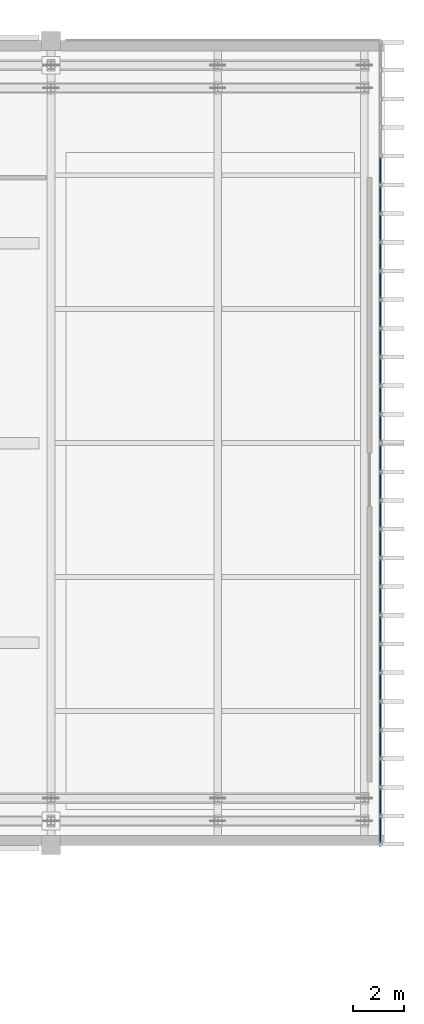
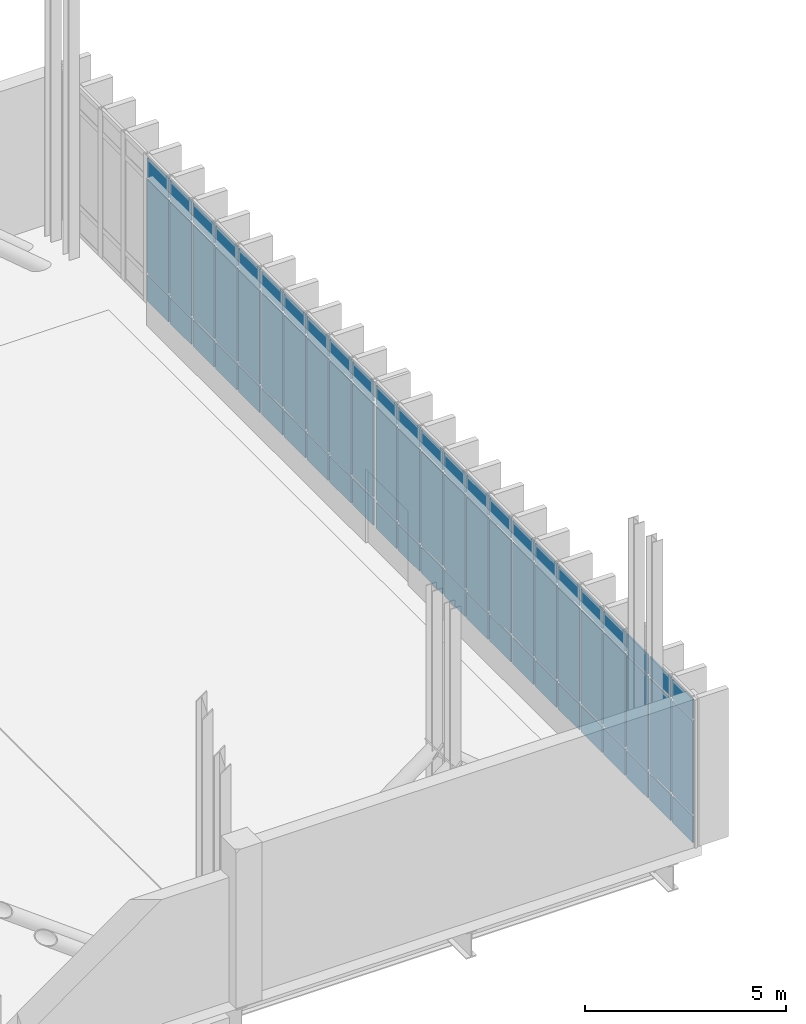
# One storey, part 46 of 73: 72 plates, 2 elements without a shape of their own.
"""IFC4 building model written with IfcOpenShell, lengths in metres."""

from ifc_helpers import new_model, si_unit, direction, frame, origin, origin_2d, place, context, subcontext, project, spatial, rectangle, extrude, material, layer, layer_set, type_object, element, aggregate, save


model = new_model("IFC4")

# Units and contexts
model_context = context("Model", 3, precision=1e-05, world=origin(), true_north=direction((0.0, 1.0)))
body_context = subcontext(model_context, "Body", "Model", "MODEL_VIEW")
ifc_project = project(units=[si_unit("LENGTHUNIT", "METRE"), si_unit("AREAUNIT", "SQUARE_METRE"), si_unit("VOLUMEUNIT", "CUBIC_METRE"), si_unit("PLANEANGLEUNIT", "RADIAN"), si_unit("MASSUNIT", "GRAM", prefix="KILO")], contexts=[model_context])

# Site, building, storey
site_placement = place(None, origin())
site = spatial("IfcSite", under=ifc_project, at=site_placement, CompositionType="ELEMENT")
building_placement = place(site_placement, origin())
building = spatial("IfcBuilding", under=site, at=building_placement, Name="Kelarvand Opera House", CompositionType="ELEMENT")
storey_placement = place(building_placement, frame((0.0, 0.0, 10.199951171875)))
storey = spatial("IfcBuildingStorey", under=building, at=storey_placement, Name="L02", CompositionType="ELEMENT", Elevation=10.199951171875)

# Curtain wall, plates
ifc_material_1 = material(Name="Thermally broken aluminium and low-E glazing", Category="aluminium")
ifc_layer_1 = layer(ifc_material_1, 0.219970703125, Name="Thermally broken aluminium and low-E glazing", Category="aluminium")
ifc_layer_set_1 = layer_set([ifc_layer_1], Name="Thermally broken aluminium and low-E glazing")
curtain_wall_type = type_object("IfcCurtainWallType", Name="Unitised Low-E Curtain Wall 15886x4500 Mod 1150 CWF-06", PredefinedType="USERDEFINED", material=ifc_layer_set_1)
curtain_wall_1_placement = place(storey_placement, origin())
curtain_wall_1 = element("IfcCurtainWall", 1, at=curtain_wall_1_placement, inside=storey, type_object=curtain_wall_type, Name="V1 L02 Curtain Wall CWF-06 (17)", ObjectType="UNITISED CURTAIN WALL", PredefinedType="USERDEFINED")
ifc_material_2 = material(Name="Acoustic triple-laminated low-E glazing", Category="glass")
ifc_layer_2 = layer(ifc_material_2, 0.0400390625, Name="Acoustic triple-laminated low-E glazing", Category="glass")
ifc_layer_set_2 = layer_set([ifc_layer_2], Name="Acoustic triple-laminated low-E glazing")
plate_type = type_object("IfcPlateType", Name="Acoustic Laminated Plaza Curtain Panel 40mm", PredefinedType="CURTAIN_PANEL", material=ifc_layer_set_2)
plate_1_placement = place(storey_placement, frame((154.820068359375, 73.28369140625, 0.074951171875), z_axis=(0.0, 0.0, 1.0), x_axis=(0.0, -1.0, 0.0)))
plate_1 = element("IfcPlate", 2, at=plate_1_placement, type_object=plate_type, Name="CWF-06 panel 5.1", PredefinedType="CURTAIN_PANEL", context=body_context, shape_type="SweptSolid", body=[
    extrude(rectangle(XDim=1.059814453125, YDim=0.0400390625, at=origin_2d()), origin(), (0.0, 0.0, 1.0), 0.78759765625),
])
plate_2_placement = place(storey_placement, frame((154.820068359375, 73.28369140625, 0.9375), z_axis=(0.0, 0.0, 1.0), x_axis=(0.0, -1.0, 0.0)))
plate_2 = element("IfcPlate", 3, at=plate_2_placement, type_object=plate_type, Name="CWF-06 panel 5.2", PredefinedType="CURTAIN_PANEL", context=body_context, shape_type="SweptSolid", body=[
    extrude(rectangle(XDim=1.059814453125, YDim=0.0400390625, at=origin_2d()), origin(), (0.0, 0.0, 1.0), 2.824951171875),
])
plate_3_placement = place(storey_placement, frame((154.820068359375, 73.28369140625, 3.837646484375), z_axis=(0.0, 0.0, 1.0), x_axis=(0.0, -1.0, 0.0)))
plate_3 = element("IfcPlate", 4, at=plate_3_placement, type_object=plate_type, Name="CWF-06 panel 5.3", PredefinedType="CURTAIN_PANEL", context=body_context, shape_type="SweptSolid", body=[
    extrude(rectangle(XDim=1.059814453125, YDim=0.0400390625, at=origin_2d()), origin(), (0.0, 0.0, 1.0), 0.58740234375),
])
plate_4_placement = place(storey_placement, frame((154.820068359375, 72.149169921875, 0.074951171875), z_axis=(0.0, 0.0, 1.0), x_axis=(0.0, -1.0, 0.0)))
plate_4 = element("IfcPlate", 5, at=plate_4_placement, type_object=plate_type, Name="CWF-06 panel 6.1", PredefinedType="CURTAIN_PANEL", context=body_context, shape_type="SweptSolid", body=[
    extrude(rectangle(XDim=1.059814453125, YDim=0.0400390625, at=origin_2d()), origin(), (0.0, 0.0, 1.0), 0.78759765625),
])
plate_5_placement = place(storey_placement, frame((154.820068359375, 72.149169921875, 0.9375), z_axis=(0.0, 0.0, 1.0), x_axis=(0.0, -1.0, 0.0)))
plate_5 = element("IfcPlate", 6, at=plate_5_placement, type_object=plate_type, Name="CWF-06 panel 6.2", PredefinedType="CURTAIN_PANEL", context=body_context, shape_type="SweptSolid", body=[
    extrude(rectangle(XDim=1.059814453125, YDim=0.0400390625, at=origin_2d()), origin(), (0.0, 0.0, 1.0), 2.824951171875),
])
plate_6_placement = place(storey_placement, frame((154.820068359375, 72.149169921875, 3.837646484375), z_axis=(0.0, 0.0, 1.0), x_axis=(0.0, -1.0, 0.0)))
plate_6 = element("IfcPlate", 7, at=plate_6_placement, type_object=plate_type, Name="CWF-06 panel 6.3", PredefinedType="CURTAIN_PANEL", context=body_context, shape_type="SweptSolid", body=[
    extrude(rectangle(XDim=1.059814453125, YDim=0.0400390625, at=origin_2d()), origin(), (0.0, 0.0, 1.0), 0.58740234375),
])
plate_7_placement = place(storey_placement, frame((154.820068359375, 71.014404296875, 0.074951171875), z_axis=(0.0, 0.0, 1.0), x_axis=(0.0, -1.0, 0.0)))
plate_7 = element("IfcPlate", 8, at=plate_7_placement, type_object=plate_type, Name="CWF-06 panel 7.1", PredefinedType="CURTAIN_PANEL", context=body_context, shape_type="SweptSolid", body=[
    extrude(rectangle(XDim=1.059814453125, YDim=0.0400390625, at=origin_2d()), origin(), (0.0, 0.0, 1.0), 0.78759765625),
])
plate_8_placement = place(storey_placement, frame((154.820068359375, 71.014404296875, 0.9375), z_axis=(0.0, 0.0, 1.0), x_axis=(0.0, -1.0, 0.0)))
plate_8 = element("IfcPlate", 9, at=plate_8_placement, type_object=plate_type, Name="CWF-06 panel 7.2", PredefinedType="CURTAIN_PANEL", context=body_context, shape_type="SweptSolid", body=[
    extrude(rectangle(XDim=1.059814453125, YDim=0.0400390625, at=origin_2d()), origin(), (0.0, 0.0, 1.0), 2.824951171875),
])
plate_9_placement = place(storey_placement, frame((154.820068359375, 71.014404296875, 3.837646484375), z_axis=(0.0, 0.0, 1.0), x_axis=(0.0, -1.0, 0.0)))
plate_9 = element("IfcPlate", 10, at=plate_9_placement, type_object=plate_type, Name="CWF-06 panel 7.3", PredefinedType="CURTAIN_PANEL", context=body_context, shape_type="SweptSolid", body=[
    extrude(rectangle(XDim=1.059814453125, YDim=0.0400390625, at=origin_2d()), origin(), (0.0, 0.0, 1.0), 0.58740234375),
])
plate_10_placement = place(storey_placement, frame((154.820068359375, 69.879638671875, 0.074951171875), z_axis=(0.0, 0.0, 1.0), x_axis=(0.0, -1.0, 0.0)))
plate_10 = element("IfcPlate", 11, at=plate_10_placement, type_object=plate_type, Name="CWF-06 panel 8.1", PredefinedType="CURTAIN_PANEL", context=body_context, shape_type="SweptSolid", body=[
    extrude(rectangle(XDim=1.059814453125, YDim=0.0400390625, at=origin_2d()), origin(), (0.0, 0.0, 1.0), 0.78759765625),
])
plate_11_placement = place(storey_placement, frame((154.820068359375, 69.879638671875, 0.9375), z_axis=(0.0, 0.0, 1.0), x_axis=(0.0, -1.0, 0.0)))
plate_11 = element("IfcPlate", 12, at=plate_11_placement, type_object=plate_type, Name="CWF-06 panel 8.2", PredefinedType="CURTAIN_PANEL", context=body_context, shape_type="SweptSolid", body=[
    extrude(rectangle(XDim=1.059814453125, YDim=0.0400390625, at=origin_2d()), origin(), (0.0, 0.0, 1.0), 2.824951171875),
])
plate_12_placement = place(storey_placement, frame((154.820068359375, 69.879638671875, 3.837646484375), z_axis=(0.0, 0.0, 1.0), x_axis=(0.0, -1.0, 0.0)))
plate_12 = element("IfcPlate", 13, at=plate_12_placement, type_object=plate_type, Name="CWF-06 panel 8.3", PredefinedType="CURTAIN_PANEL", context=body_context, shape_type="SweptSolid", body=[
    extrude(rectangle(XDim=1.059814453125, YDim=0.0400390625, at=origin_2d()), origin(), (0.0, 0.0, 1.0), 0.58740234375),
])
plate_13_placement = place(storey_placement, frame((154.820068359375, 68.744873046875, 0.074951171875), z_axis=(0.0, 0.0, 1.0), x_axis=(0.0, -1.0, 0.0)))
plate_13 = element("IfcPlate", 14, at=plate_13_placement, type_object=plate_type, Name="CWF-06 panel 9.1", PredefinedType="CURTAIN_PANEL", context=body_context, shape_type="SweptSolid", body=[
    extrude(rectangle(XDim=1.059814453125, YDim=0.0400390625, at=origin_2d()), origin(), (0.0, 0.0, 1.0), 0.78759765625),
])
plate_14_placement = place(storey_placement, frame((154.820068359375, 68.744873046875, 0.9375), z_axis=(0.0, 0.0, 1.0), x_axis=(0.0, -1.0, 0.0)))
plate_14 = element("IfcPlate", 15, at=plate_14_placement, type_object=plate_type, Name="CWF-06 panel 9.2", PredefinedType="CURTAIN_PANEL", context=body_context, shape_type="SweptSolid", body=[
    extrude(rectangle(XDim=1.059814453125, YDim=0.0400390625, at=origin_2d()), origin(), (0.0, 0.0, 1.0), 2.824951171875),
])
plate_15_placement = place(storey_placement, frame((154.820068359375, 68.744873046875, 3.837646484375), z_axis=(0.0, 0.0, 1.0), x_axis=(0.0, -1.0, 0.0)))
plate_15 = element("IfcPlate", 16, at=plate_15_placement, type_object=plate_type, Name="CWF-06 panel 9.3", PredefinedType="CURTAIN_PANEL", context=body_context, shape_type="SweptSolid", body=[
    extrude(rectangle(XDim=1.059814453125, YDim=0.0400390625, at=origin_2d()), origin(), (0.0, 0.0, 1.0), 0.58740234375),
])
plate_16_placement = place(storey_placement, frame((154.820068359375, 67.610107421875, 0.074951171875), z_axis=(0.0, 0.0, 1.0), x_axis=(0.0, -1.0, 0.0)))
plate_16 = element("IfcPlate", 17, at=plate_16_placement, type_object=plate_type, Name="CWF-06 panel 10.1", PredefinedType="CURTAIN_PANEL", context=body_context, shape_type="SweptSolid", body=[
    extrude(rectangle(XDim=1.059814453125, YDim=0.0400390625, at=origin_2d()), origin(), (0.0, 0.0, 1.0), 0.78759765625),
])
plate_17_placement = place(storey_placement, frame((154.820068359375, 67.610107421875, 0.9375), z_axis=(0.0, 0.0, 1.0), x_axis=(0.0, -1.0, 0.0)))
plate_17 = element("IfcPlate", 18, at=plate_17_placement, type_object=plate_type, Name="CWF-06 panel 10.2", PredefinedType="CURTAIN_PANEL", context=body_context, shape_type="SweptSolid", body=[
    extrude(rectangle(XDim=1.059814453125, YDim=0.0400390625, at=origin_2d()), origin(), (0.0, 0.0, 1.0), 2.824951171875),
])
plate_18_placement = place(storey_placement, frame((154.820068359375, 67.610107421875, 3.837646484375), z_axis=(0.0, 0.0, 1.0), x_axis=(0.0, -1.0, 0.0)))
plate_18 = element("IfcPlate", 19, at=plate_18_placement, type_object=plate_type, Name="CWF-06 panel 10.3", PredefinedType="CURTAIN_PANEL", context=body_context, shape_type="SweptSolid", body=[
    extrude(rectangle(XDim=1.059814453125, YDim=0.0400390625, at=origin_2d()), origin(), (0.0, 0.0, 1.0), 0.58740234375),
])
plate_19_placement = place(storey_placement, frame((154.820068359375, 66.4755859375, 0.074951171875), z_axis=(0.0, 0.0, 1.0), x_axis=(0.0, -1.0, 0.0)))
plate_19 = element("IfcPlate", 20, at=plate_19_placement, type_object=plate_type, Name="CWF-06 panel 11.1", PredefinedType="CURTAIN_PANEL", context=body_context, shape_type="SweptSolid", body=[
    extrude(rectangle(XDim=1.059814453125, YDim=0.0400390625, at=origin_2d()), origin(), (0.0, 0.0, 1.0), 0.78759765625),
])
plate_20_placement = place(storey_placement, frame((154.820068359375, 66.4755859375, 0.9375), z_axis=(0.0, 0.0, 1.0), x_axis=(0.0, -1.0, 0.0)))
plate_20 = element("IfcPlate", 21, at=plate_20_placement, type_object=plate_type, Name="CWF-06 panel 11.2", PredefinedType="CURTAIN_PANEL", context=body_context, shape_type="SweptSolid", body=[
    extrude(rectangle(XDim=1.059814453125, YDim=0.0400390625, at=origin_2d()), origin(), (0.0, 0.0, 1.0), 2.824951171875),
])
plate_21_placement = place(storey_placement, frame((154.820068359375, 66.4755859375, 3.837646484375), z_axis=(0.0, 0.0, 1.0), x_axis=(0.0, -1.0, 0.0)))
plate_21 = element("IfcPlate", 22, at=plate_21_placement, type_object=plate_type, Name="CWF-06 panel 11.3", PredefinedType="CURTAIN_PANEL", context=body_context, shape_type="SweptSolid", body=[
    extrude(rectangle(XDim=1.059814453125, YDim=0.0400390625, at=origin_2d()), origin(), (0.0, 0.0, 1.0), 0.58740234375),
])
plate_22_placement = place(storey_placement, frame((154.820068359375, 65.3408203125, 0.074951171875), z_axis=(0.0, 0.0, 1.0), x_axis=(0.0, -1.0, 0.0)))
plate_22 = element("IfcPlate", 23, at=plate_22_placement, type_object=plate_type, Name="CWF-06 panel 12.1", PredefinedType="CURTAIN_PANEL", context=body_context, shape_type="SweptSolid", body=[
    extrude(rectangle(XDim=1.059814453125, YDim=0.0400390625, at=origin_2d()), origin(), (0.0, 0.0, 1.0), 0.78759765625),
])
plate_23_placement = place(storey_placement, frame((154.820068359375, 65.3408203125, 0.9375), z_axis=(0.0, 0.0, 1.0), x_axis=(0.0, -1.0, 0.0)))
plate_23 = element("IfcPlate", 24, at=plate_23_placement, type_object=plate_type, Name="CWF-06 panel 12.2", PredefinedType="CURTAIN_PANEL", context=body_context, shape_type="SweptSolid", body=[
    extrude(rectangle(XDim=1.059814453125, YDim=0.0400390625, at=origin_2d()), origin(), (0.0, 0.0, 1.0), 2.824951171875),
])
plate_24_placement = place(storey_placement, frame((154.820068359375, 65.3408203125, 3.837646484375), z_axis=(0.0, 0.0, 1.0), x_axis=(0.0, -1.0, 0.0)))
plate_24 = element("IfcPlate", 25, at=plate_24_placement, type_object=plate_type, Name="CWF-06 panel 12.3", PredefinedType="CURTAIN_PANEL", context=body_context, shape_type="SweptSolid", body=[
    extrude(rectangle(XDim=1.059814453125, YDim=0.0400390625, at=origin_2d()), origin(), (0.0, 0.0, 1.0), 0.58740234375),
])
plate_25_placement = place(storey_placement, frame((154.820068359375, 64.2060546875, 0.074951171875), z_axis=(0.0, 0.0, 1.0), x_axis=(0.0, -1.0, 0.0)))
plate_25 = element("IfcPlate", 26, at=plate_25_placement, type_object=plate_type, Name="CWF-06 panel 13.1", PredefinedType="CURTAIN_PANEL", context=body_context, shape_type="SweptSolid", body=[
    extrude(rectangle(XDim=1.059814453125, YDim=0.0400390625, at=origin_2d()), origin(), (0.0, 0.0, 1.0), 0.78759765625),
])
plate_26_placement = place(storey_placement, frame((154.820068359375, 64.2060546875, 0.9375), z_axis=(0.0, 0.0, 1.0), x_axis=(0.0, -1.0, 0.0)))
plate_26 = element("IfcPlate", 27, at=plate_26_placement, type_object=plate_type, Name="CWF-06 panel 13.2", PredefinedType="CURTAIN_PANEL", context=body_context, shape_type="SweptSolid", body=[
    extrude(rectangle(XDim=1.059814453125, YDim=0.0400390625, at=origin_2d()), origin(), (0.0, 0.0, 1.0), 2.824951171875),
])
plate_27_placement = place(storey_placement, frame((154.820068359375, 64.2060546875, 3.837646484375), z_axis=(0.0, 0.0, 1.0), x_axis=(0.0, -1.0, 0.0)))
plate_27 = element("IfcPlate", 28, at=plate_27_placement, type_object=plate_type, Name="CWF-06 panel 13.3", PredefinedType="CURTAIN_PANEL", context=body_context, shape_type="SweptSolid", body=[
    extrude(rectangle(XDim=1.059814453125, YDim=0.0400390625, at=origin_2d()), origin(), (0.0, 0.0, 1.0), 0.58740234375),
])
plate_28_placement = place(storey_placement, frame((154.820068359375, 63.090087890625, 0.074951171875), z_axis=(0.0, 0.0, 1.0), x_axis=(0.0, -1.0, 0.0)))
plate_28 = element("IfcPlate", 29, at=plate_28_placement, type_object=plate_type, Name="CWF-06 panel 14.1", PredefinedType="CURTAIN_PANEL", context=body_context, shape_type="SweptSolid", body=[
    extrude(rectangle(XDim=1.022216796875, YDim=0.0400390625, at=origin_2d()), origin(), (0.0, 0.0, 1.0), 0.78759765625),
])
plate_29_placement = place(storey_placement, frame((154.820068359375, 63.090087890625, 0.9375), z_axis=(0.0, 0.0, 1.0), x_axis=(0.0, -1.0, 0.0)))
plate_29 = element("IfcPlate", 30, at=plate_29_placement, type_object=plate_type, Name="CWF-06 panel 14.2", PredefinedType="CURTAIN_PANEL", context=body_context, shape_type="SweptSolid", body=[
    extrude(rectangle(XDim=1.022216796875, YDim=0.0400390625, at=origin_2d()), origin(), (0.0, 0.0, 1.0), 2.824951171875),
])
plate_30_placement = place(storey_placement, frame((154.820068359375, 63.090087890625, 3.837646484375), z_axis=(0.0, 0.0, 1.0), x_axis=(0.0, -1.0, 0.0)))
plate_30 = element("IfcPlate", 31, at=plate_30_placement, type_object=plate_type, Name="CWF-06 panel 14.3", PredefinedType="CURTAIN_PANEL", context=body_context, shape_type="SweptSolid", body=[
    extrude(rectangle(XDim=1.022216796875, YDim=0.0400390625, at=origin_2d()), origin(), (0.0, 0.0, 1.0), 0.58740234375),
])
aggregate(curtain_wall_1, [plate_1, plate_2, plate_3, plate_4, plate_5, plate_6, plate_7, plate_8, plate_9, plate_10, plate_11, plate_12, plate_13, plate_14, plate_15, plate_16, plate_17, plate_18, plate_19, plate_20, plate_21, plate_22, plate_23, plate_24, plate_25, plate_26, plate_27, plate_28, plate_29, plate_30])

curtain_wall_2_placement = place(storey_placement, origin())
curtain_wall_2 = element("IfcCurtainWall", 32, at=curtain_wall_2_placement, inside=storey, type_object=curtain_wall_type, Name="V1 L02 Curtain Wall CWF-06 (18)", ObjectType="UNITISED CURTAIN WALL", PredefinedType="USERDEFINED")
plate_31_placement = place(storey_placement, frame((154.820068359375, 61.913818359375, 0.074951171875), z_axis=(0.0, 0.0, 1.0), x_axis=(0.0, -1.0, 0.0)))
plate_31 = element("IfcPlate", 33, at=plate_31_placement, type_object=plate_type, Name="CWF-06 panel 1.1", PredefinedType="CURTAIN_PANEL", context=body_context, shape_type="SweptSolid", body=[
    extrude(rectangle(XDim=1.0224609375, YDim=0.0400390625, at=origin_2d()), origin(), (0.0, 0.0, 1.0), 0.78759765625),
])
plate_32_placement = place(storey_placement, frame((154.820068359375, 61.913818359375, 0.9375), z_axis=(0.0, 0.0, 1.0), x_axis=(0.0, -1.0, 0.0)))
plate_32 = element("IfcPlate", 34, at=plate_32_placement, type_object=plate_type, Name="CWF-06 panel 1.2", PredefinedType="CURTAIN_PANEL", context=body_context, shape_type="SweptSolid", body=[
    extrude(rectangle(XDim=1.0224609375, YDim=0.0400390625, at=origin_2d()), origin(), (0.0, 0.0, 1.0), 2.824951171875),
])
plate_33_placement = place(storey_placement, frame((154.820068359375, 61.913818359375, 3.837646484375), z_axis=(0.0, 0.0, 1.0), x_axis=(0.0, -1.0, 0.0)))
plate_33 = element("IfcPlate", 35, at=plate_33_placement, type_object=plate_type, Name="CWF-06 panel 1.3", PredefinedType="CURTAIN_PANEL", context=body_context, shape_type="SweptSolid", body=[
    extrude(rectangle(XDim=1.0224609375, YDim=0.0400390625, at=origin_2d()), origin(), (0.0, 0.0, 1.0), 0.58740234375),
])
plate_34_placement = place(storey_placement, frame((154.820068359375, 60.797607421875, 0.074951171875), z_axis=(0.0, 0.0, 1.0), x_axis=(0.0, -1.0, 0.0)))
plate_34 = element("IfcPlate", 36, at=plate_34_placement, type_object=plate_type, Name="CWF-06 panel 2.1", PredefinedType="CURTAIN_PANEL", context=body_context, shape_type="SweptSolid", body=[
    extrude(rectangle(XDim=1.06005859375, YDim=0.0400390625, at=origin_2d()), origin(), (0.0, 0.0, 1.0), 0.78759765625),
])
plate_35_placement = place(storey_placement, frame((154.820068359375, 60.797607421875, 0.9375), z_axis=(0.0, 0.0, 1.0), x_axis=(0.0, -1.0, 0.0)))
plate_35 = element("IfcPlate", 37, at=plate_35_placement, type_object=plate_type, Name="CWF-06 panel 2.2", PredefinedType="CURTAIN_PANEL", context=body_context, shape_type="SweptSolid", body=[
    extrude(rectangle(XDim=1.06005859375, YDim=0.0400390625, at=origin_2d()), origin(), (0.0, 0.0, 1.0), 2.824951171875),
])
plate_36_placement = place(storey_placement, frame((154.820068359375, 60.797607421875, 3.837646484375), z_axis=(0.0, 0.0, 1.0), x_axis=(0.0, -1.0, 0.0)))
plate_36 = element("IfcPlate", 38, at=plate_36_placement, type_object=plate_type, Name="CWF-06 panel 2.3", PredefinedType="CURTAIN_PANEL", context=body_context, shape_type="SweptSolid", body=[
    extrude(rectangle(XDim=1.06005859375, YDim=0.0400390625, at=origin_2d()), origin(), (0.0, 0.0, 1.0), 0.58740234375),
])
plate_37_placement = place(storey_placement, frame((154.820068359375, 59.66259765625, 0.074951171875), z_axis=(0.0, 0.0, 1.0), x_axis=(0.0, -1.0, 0.0)))
plate_37 = element("IfcPlate", 39, at=plate_37_placement, type_object=plate_type, Name="CWF-06 panel 3.1", PredefinedType="CURTAIN_PANEL", context=body_context, shape_type="SweptSolid", body=[
    extrude(rectangle(XDim=1.06005859375, YDim=0.0400390625, at=origin_2d()), origin(), (0.0, 0.0, 1.0), 0.78759765625),
])
plate_38_placement = place(storey_placement, frame((154.820068359375, 59.66259765625, 0.9375), z_axis=(0.0, 0.0, 1.0), x_axis=(0.0, -1.0, 0.0)))
plate_38 = element("IfcPlate", 40, at=plate_38_placement, type_object=plate_type, Name="CWF-06 panel 3.2", PredefinedType="CURTAIN_PANEL", context=body_context, shape_type="SweptSolid", body=[
    extrude(rectangle(XDim=1.06005859375, YDim=0.0400390625, at=origin_2d()), origin(), (0.0, 0.0, 1.0), 2.824951171875),
])
plate_39_placement = place(storey_placement, frame((154.820068359375, 59.66259765625, 3.837646484375), z_axis=(0.0, 0.0, 1.0), x_axis=(0.0, -1.0, 0.0)))
plate_39 = element("IfcPlate", 41, at=plate_39_placement, type_object=plate_type, Name="CWF-06 panel 3.3", PredefinedType="CURTAIN_PANEL", context=body_context, shape_type="SweptSolid", body=[
    extrude(rectangle(XDim=1.06005859375, YDim=0.0400390625, at=origin_2d()), origin(), (0.0, 0.0, 1.0), 0.58740234375),
])
plate_40_placement = place(storey_placement, frame((154.820068359375, 58.527587890625, 0.074951171875), z_axis=(0.0, 0.0, 1.0), x_axis=(0.0, -1.0, 0.0)))
plate_40 = element("IfcPlate", 42, at=plate_40_placement, type_object=plate_type, Name="CWF-06 panel 4.1", PredefinedType="CURTAIN_PANEL", context=body_context, shape_type="SweptSolid", body=[
    extrude(rectangle(XDim=1.06005859375, YDim=0.0400390625, at=origin_2d()), origin(), (0.0, 0.0, 1.0), 0.78759765625),
])
plate_41_placement = place(storey_placement, frame((154.820068359375, 58.527587890625, 0.9375), z_axis=(0.0, 0.0, 1.0), x_axis=(0.0, -1.0, 0.0)))
plate_41 = element("IfcPlate", 43, at=plate_41_placement, type_object=plate_type, Name="CWF-06 panel 4.2", PredefinedType="CURTAIN_PANEL", context=body_context, shape_type="SweptSolid", body=[
    extrude(rectangle(XDim=1.06005859375, YDim=0.0400390625, at=origin_2d()), origin(), (0.0, 0.0, 1.0), 2.824951171875),
])
plate_42_placement = place(storey_placement, frame((154.820068359375, 58.527587890625, 3.837646484375), z_axis=(0.0, 0.0, 1.0), x_axis=(0.0, -1.0, 0.0)))
plate_42 = element("IfcPlate", 44, at=plate_42_placement, type_object=plate_type, Name="CWF-06 panel 4.3", PredefinedType="CURTAIN_PANEL", context=body_context, shape_type="SweptSolid", body=[
    extrude(rectangle(XDim=1.06005859375, YDim=0.0400390625, at=origin_2d()), origin(), (0.0, 0.0, 1.0), 0.58740234375),
])
plate_43_placement = place(storey_placement, frame((154.820068359375, 57.392578125, 0.074951171875), z_axis=(0.0, 0.0, 1.0), x_axis=(0.0, -1.0, 0.0)))
plate_43 = element("IfcPlate", 45, at=plate_43_placement, type_object=plate_type, Name="CWF-06 panel 5.1", PredefinedType="CURTAIN_PANEL", context=body_context, shape_type="SweptSolid", body=[
    extrude(rectangle(XDim=1.06005859375, YDim=0.0400390625, at=origin_2d()), origin(), (0.0, 0.0, 1.0), 0.78759765625),
])
plate_44_placement = place(storey_placement, frame((154.820068359375, 57.392578125, 0.9375), z_axis=(0.0, 0.0, 1.0), x_axis=(0.0, -1.0, 0.0)))
plate_44 = element("IfcPlate", 46, at=plate_44_placement, type_object=plate_type, Name="CWF-06 panel 5.2", PredefinedType="CURTAIN_PANEL", context=body_context, shape_type="SweptSolid", body=[
    extrude(rectangle(XDim=1.06005859375, YDim=0.0400390625, at=origin_2d()), origin(), (0.0, 0.0, 1.0), 2.824951171875),
])
plate_45_placement = place(storey_placement, frame((154.820068359375, 57.392578125, 3.837646484375), z_axis=(0.0, 0.0, 1.0), x_axis=(0.0, -1.0, 0.0)))
plate_45 = element("IfcPlate", 47, at=plate_45_placement, type_object=plate_type, Name="CWF-06 panel 5.3", PredefinedType="CURTAIN_PANEL", context=body_context, shape_type="SweptSolid", body=[
    extrude(rectangle(XDim=1.06005859375, YDim=0.0400390625, at=origin_2d()), origin(), (0.0, 0.0, 1.0), 0.58740234375),
])
plate_46_placement = place(storey_placement, frame((154.820068359375, 56.257568359375, 0.074951171875), z_axis=(0.0, 0.0, 1.0), x_axis=(0.0, -1.0, 0.0)))
plate_46 = element("IfcPlate", 48, at=plate_46_placement, type_object=plate_type, Name="CWF-06 panel 6.1", PredefinedType="CURTAIN_PANEL", context=body_context, shape_type="SweptSolid", body=[
    extrude(rectangle(XDim=1.06005859375, YDim=0.0400390625, at=origin_2d()), origin(), (0.0, 0.0, 1.0), 0.78759765625),
])
plate_47_placement = place(storey_placement, frame((154.820068359375, 56.257568359375, 0.9375), z_axis=(0.0, 0.0, 1.0), x_axis=(0.0, -1.0, 0.0)))
plate_47 = element("IfcPlate", 49, at=plate_47_placement, type_object=plate_type, Name="CWF-06 panel 6.2", PredefinedType="CURTAIN_PANEL", context=body_context, shape_type="SweptSolid", body=[
    extrude(rectangle(XDim=1.06005859375, YDim=0.0400390625, at=origin_2d()), origin(), (0.0, 0.0, 1.0), 2.824951171875),
])
plate_48_placement = place(storey_placement, frame((154.820068359375, 56.257568359375, 3.837646484375), z_axis=(0.0, 0.0, 1.0), x_axis=(0.0, -1.0, 0.0)))
plate_48 = element("IfcPlate", 50, at=plate_48_placement, type_object=plate_type, Name="CWF-06 panel 6.3", PredefinedType="CURTAIN_PANEL", context=body_context, shape_type="SweptSolid", body=[
    extrude(rectangle(XDim=1.06005859375, YDim=0.0400390625, at=origin_2d()), origin(), (0.0, 0.0, 1.0), 0.58740234375),
])
plate_49_placement = place(storey_placement, frame((154.820068359375, 55.12255859375, 0.074951171875), z_axis=(0.0, 0.0, 1.0), x_axis=(0.0, -1.0, 0.0)))
plate_49 = element("IfcPlate", 51, at=plate_49_placement, type_object=plate_type, Name="CWF-06 panel 7.1", PredefinedType="CURTAIN_PANEL", context=body_context, shape_type="SweptSolid", body=[
    extrude(rectangle(XDim=1.06005859375, YDim=0.0400390625, at=origin_2d()), origin(), (0.0, 0.0, 1.0), 0.78759765625),
])
plate_50_placement = place(storey_placement, frame((154.820068359375, 55.12255859375, 0.9375), z_axis=(0.0, 0.0, 1.0), x_axis=(0.0, -1.0, 0.0)))
plate_50 = element("IfcPlate", 52, at=plate_50_placement, type_object=plate_type, Name="CWF-06 panel 7.2", PredefinedType="CURTAIN_PANEL", context=body_context, shape_type="SweptSolid", body=[
    extrude(rectangle(XDim=1.06005859375, YDim=0.0400390625, at=origin_2d()), origin(), (0.0, 0.0, 1.0), 2.824951171875),
])
plate_51_placement = place(storey_placement, frame((154.820068359375, 55.12255859375, 3.837646484375), z_axis=(0.0, 0.0, 1.0), x_axis=(0.0, -1.0, 0.0)))
plate_51 = element("IfcPlate", 53, at=plate_51_placement, type_object=plate_type, Name="CWF-06 panel 7.3", PredefinedType="CURTAIN_PANEL", context=body_context, shape_type="SweptSolid", body=[
    extrude(rectangle(XDim=1.06005859375, YDim=0.0400390625, at=origin_2d()), origin(), (0.0, 0.0, 1.0), 0.58740234375),
])
plate_52_placement = place(storey_placement, frame((154.820068359375, 53.987548828125, 0.074951171875), z_axis=(0.0, 0.0, 1.0), x_axis=(0.0, -1.0, 0.0)))
plate_52 = element("IfcPlate", 54, at=plate_52_placement, type_object=plate_type, Name="CWF-06 panel 8.1", PredefinedType="CURTAIN_PANEL", context=body_context, shape_type="SweptSolid", body=[
    extrude(rectangle(XDim=1.06005859375, YDim=0.0400390625, at=origin_2d()), origin(), (0.0, 0.0, 1.0), 0.78759765625),
])
plate_53_placement = place(storey_placement, frame((154.820068359375, 53.987548828125, 0.9375), z_axis=(0.0, 0.0, 1.0), x_axis=(0.0, -1.0, 0.0)))
plate_53 = element("IfcPlate", 55, at=plate_53_placement, type_object=plate_type, Name="CWF-06 panel 8.2", PredefinedType="CURTAIN_PANEL", context=body_context, shape_type="SweptSolid", body=[
    extrude(rectangle(XDim=1.06005859375, YDim=0.0400390625, at=origin_2d()), origin(), (0.0, 0.0, 1.0), 2.824951171875),
])
plate_54_placement = place(storey_placement, frame((154.820068359375, 53.987548828125, 3.837646484375), z_axis=(0.0, 0.0, 1.0), x_axis=(0.0, -1.0, 0.0)))
plate_54 = element("IfcPlate", 56, at=plate_54_placement, type_object=plate_type, Name="CWF-06 panel 8.3", PredefinedType="CURTAIN_PANEL", context=body_context, shape_type="SweptSolid", body=[
    extrude(rectangle(XDim=1.06005859375, YDim=0.0400390625, at=origin_2d()), origin(), (0.0, 0.0, 1.0), 0.58740234375),
])
plate_55_placement = place(storey_placement, frame((154.820068359375, 52.8525390625, 0.074951171875), z_axis=(0.0, 0.0, 1.0), x_axis=(0.0, -1.0, 0.0)))
plate_55 = element("IfcPlate", 57, at=plate_55_placement, type_object=plate_type, Name="CWF-06 panel 9.1", PredefinedType="CURTAIN_PANEL", context=body_context, shape_type="SweptSolid", body=[
    extrude(rectangle(XDim=1.06005859375, YDim=0.0400390625, at=origin_2d()), origin(), (0.0, 0.0, 1.0), 0.78759765625),
])
plate_56_placement = place(storey_placement, frame((154.820068359375, 52.8525390625, 0.9375), z_axis=(0.0, 0.0, 1.0), x_axis=(0.0, -1.0, 0.0)))
plate_56 = element("IfcPlate", 58, at=plate_56_placement, type_object=plate_type, Name="CWF-06 panel 9.2", PredefinedType="CURTAIN_PANEL", context=body_context, shape_type="SweptSolid", body=[
    extrude(rectangle(XDim=1.06005859375, YDim=0.0400390625, at=origin_2d()), origin(), (0.0, 0.0, 1.0), 2.824951171875),
])
plate_57_placement = place(storey_placement, frame((154.820068359375, 52.8525390625, 3.837646484375), z_axis=(0.0, 0.0, 1.0), x_axis=(0.0, -1.0, 0.0)))
plate_57 = element("IfcPlate", 59, at=plate_57_placement, type_object=plate_type, Name="CWF-06 panel 9.3", PredefinedType="CURTAIN_PANEL", context=body_context, shape_type="SweptSolid", body=[
    extrude(rectangle(XDim=1.06005859375, YDim=0.0400390625, at=origin_2d()), origin(), (0.0, 0.0, 1.0), 0.58740234375),
])
plate_58_placement = place(storey_placement, frame((154.820068359375, 51.717529296875, 0.074951171875), z_axis=(0.0, 0.0, 1.0), x_axis=(0.0, -1.0, 0.0)))
plate_58 = element("IfcPlate", 60, at=plate_58_placement, type_object=plate_type, Name="CWF-06 panel 10.1", PredefinedType="CURTAIN_PANEL", context=body_context, shape_type="SweptSolid", body=[
    extrude(rectangle(XDim=1.06005859375, YDim=0.0400390625, at=origin_2d()), origin(), (0.0, 0.0, 1.0), 0.78759765625),
])
plate_59_placement = place(storey_placement, frame((154.820068359375, 51.717529296875, 0.9375), z_axis=(0.0, 0.0, 1.0), x_axis=(0.0, -1.0, 0.0)))
plate_59 = element("IfcPlate", 61, at=plate_59_placement, type_object=plate_type, Name="CWF-06 panel 10.2", PredefinedType="CURTAIN_PANEL", context=body_context, shape_type="SweptSolid", body=[
    extrude(rectangle(XDim=1.06005859375, YDim=0.0400390625, at=origin_2d()), origin(), (0.0, 0.0, 1.0), 2.824951171875),
])
plate_60_placement = place(storey_placement, frame((154.820068359375, 51.717529296875, 3.837646484375), z_axis=(0.0, 0.0, 1.0), x_axis=(0.0, -1.0, 0.0)))
plate_60 = element("IfcPlate", 62, at=plate_60_placement, type_object=plate_type, Name="CWF-06 panel 10.3", PredefinedType="CURTAIN_PANEL", context=body_context, shape_type="SweptSolid", body=[
    extrude(rectangle(XDim=1.06005859375, YDim=0.0400390625, at=origin_2d()), origin(), (0.0, 0.0, 1.0), 0.58740234375),
])
plate_61_placement = place(storey_placement, frame((154.820068359375, 50.58251953125, 0.074951171875), z_axis=(0.0, 0.0, 1.0), x_axis=(0.0, -1.0, 0.0)))
plate_61 = element("IfcPlate", 63, at=plate_61_placement, type_object=plate_type, Name="CWF-06 panel 11.1", PredefinedType="CURTAIN_PANEL", context=body_context, shape_type="SweptSolid", body=[
    extrude(rectangle(XDim=1.06005859375, YDim=0.0400390625, at=origin_2d()), origin(), (0.0, 0.0, 1.0), 0.78759765625),
])
plate_62_placement = place(storey_placement, frame((154.820068359375, 50.58251953125, 0.9375), z_axis=(0.0, 0.0, 1.0), x_axis=(0.0, -1.0, 0.0)))
plate_62 = element("IfcPlate", 64, at=plate_62_placement, type_object=plate_type, Name="CWF-06 panel 11.2", PredefinedType="CURTAIN_PANEL", context=body_context, shape_type="SweptSolid", body=[
    extrude(rectangle(XDim=1.06005859375, YDim=0.0400390625, at=origin_2d()), origin(), (0.0, 0.0, 1.0), 2.824951171875),
])
plate_63_placement = place(storey_placement, frame((154.820068359375, 50.58251953125, 3.837646484375), z_axis=(0.0, 0.0, 1.0), x_axis=(0.0, -1.0, 0.0)))
plate_63 = element("IfcPlate", 65, at=plate_63_placement, type_object=plate_type, Name="CWF-06 panel 11.3", PredefinedType="CURTAIN_PANEL", context=body_context, shape_type="SweptSolid", body=[
    extrude(rectangle(XDim=1.06005859375, YDim=0.0400390625, at=origin_2d()), origin(), (0.0, 0.0, 1.0), 0.58740234375),
])
plate_64_placement = place(storey_placement, frame((154.820068359375, 49.447509765625, 0.074951171875), z_axis=(0.0, 0.0, 1.0), x_axis=(0.0, -1.0, 0.0)))
plate_64 = element("IfcPlate", 66, at=plate_64_placement, type_object=plate_type, Name="CWF-06 panel 12.1", PredefinedType="CURTAIN_PANEL", context=body_context, shape_type="SweptSolid", body=[
    extrude(rectangle(XDim=1.06005859375, YDim=0.0400390625, at=origin_2d()), origin(), (0.0, 0.0, 1.0), 0.78759765625),
])
plate_65_placement = place(storey_placement, frame((154.820068359375, 49.447509765625, 0.9375), z_axis=(0.0, 0.0, 1.0), x_axis=(0.0, -1.0, 0.0)))
plate_65 = element("IfcPlate", 67, at=plate_65_placement, type_object=plate_type, Name="CWF-06 panel 12.2", PredefinedType="CURTAIN_PANEL", context=body_context, shape_type="SweptSolid", body=[
    extrude(rectangle(XDim=1.06005859375, YDim=0.0400390625, at=origin_2d()), origin(), (0.0, 0.0, 1.0), 2.824951171875),
])
plate_66_placement = place(storey_placement, frame((154.820068359375, 49.447509765625, 3.837646484375), z_axis=(0.0, 0.0, 1.0), x_axis=(0.0, -1.0, 0.0)))
plate_66 = element("IfcPlate", 68, at=plate_66_placement, type_object=plate_type, Name="CWF-06 panel 12.3", PredefinedType="CURTAIN_PANEL", context=body_context, shape_type="SweptSolid", body=[
    extrude(rectangle(XDim=1.06005859375, YDim=0.0400390625, at=origin_2d()), origin(), (0.0, 0.0, 1.0), 0.58740234375),
])
plate_67_placement = place(storey_placement, frame((154.820068359375, 48.3125, 0.074951171875), z_axis=(0.0, 0.0, 1.0), x_axis=(0.0, -1.0, 0.0)))
plate_67 = element("IfcPlate", 69, at=plate_67_placement, type_object=plate_type, Name="CWF-06 panel 13.1", PredefinedType="CURTAIN_PANEL", context=body_context, shape_type="SweptSolid", body=[
    extrude(rectangle(XDim=1.06005859375, YDim=0.0400390625, at=origin_2d()), origin(), (0.0, 0.0, 1.0), 0.78759765625),
])
plate_68_placement = place(storey_placement, frame((154.820068359375, 48.3125, 0.9375), z_axis=(0.0, 0.0, 1.0), x_axis=(0.0, -1.0, 0.0)))
plate_68 = element("IfcPlate", 70, at=plate_68_placement, type_object=plate_type, Name="CWF-06 panel 13.2", PredefinedType="CURTAIN_PANEL", context=body_context, shape_type="SweptSolid", body=[
    extrude(rectangle(XDim=1.06005859375, YDim=0.0400390625, at=origin_2d()), origin(), (0.0, 0.0, 1.0), 2.824951171875),
])
plate_69_placement = place(storey_placement, frame((154.820068359375, 48.3125, 3.837646484375), z_axis=(0.0, 0.0, 1.0), x_axis=(0.0, -1.0, 0.0)))
plate_69 = element("IfcPlate", 71, at=plate_69_placement, type_object=plate_type, Name="CWF-06 panel 13.3", PredefinedType="CURTAIN_PANEL", context=body_context, shape_type="SweptSolid", body=[
    extrude(rectangle(XDim=1.06005859375, YDim=0.0400390625, at=origin_2d()), origin(), (0.0, 0.0, 1.0), 0.58740234375),
])
plate_70_placement = place(storey_placement, frame((154.820068359375, 47.1962890625, 0.074951171875), z_axis=(0.0, 0.0, 1.0), x_axis=(0.0, -1.0, 0.0)))
plate_70 = element("IfcPlate", 72, at=plate_70_placement, type_object=plate_type, Name="CWF-06 panel 14.1", PredefinedType="CURTAIN_PANEL", context=body_context, shape_type="SweptSolid", body=[
    extrude(rectangle(XDim=1.0224609375, YDim=0.0400390625, at=origin_2d()), origin(), (0.0, 0.0, 1.0), 0.78759765625),
])
plate_71_placement = place(storey_placement, frame((154.820068359375, 47.1962890625, 0.9375), z_axis=(0.0, 0.0, 1.0), x_axis=(0.0, -1.0, 0.0)))
plate_71 = element("IfcPlate", 73, at=plate_71_placement, type_object=plate_type, Name="CWF-06 panel 14.2", PredefinedType="CURTAIN_PANEL", context=body_context, shape_type="SweptSolid", body=[
    extrude(rectangle(XDim=1.0224609375, YDim=0.0400390625, at=origin_2d()), origin(), (0.0, 0.0, 1.0), 2.824951171875),
])
plate_72_placement = place(storey_placement, frame((154.820068359375, 47.1962890625, 3.837646484375), z_axis=(0.0, 0.0, 1.0), x_axis=(0.0, -1.0, 0.0)))
plate_72 = element("IfcPlate", 74, at=plate_72_placement, type_object=plate_type, Name="CWF-06 panel 14.3", PredefinedType="CURTAIN_PANEL", context=body_context, shape_type="SweptSolid", body=[
    extrude(rectangle(XDim=1.0224609375, YDim=0.0400390625, at=origin_2d()), origin(), (0.0, 0.0, 1.0), 0.58740234375),
])
aggregate(curtain_wall_2, [plate_31, plate_32, plate_33, plate_34, plate_35, plate_36, plate_37, plate_38, plate_39, plate_40, plate_41, plate_42, plate_43, plate_44, plate_45, plate_46, plate_47, plate_48, plate_49, plate_50, plate_51, plate_52, plate_53, plate_54, plate_55, plate_56, plate_57, plate_58, plate_59, plate_60, plate_61, plate_62, plate_63, plate_64, plate_65, plate_66, plate_67, plate_68, plate_69, plate_70, plate_71, plate_72])

save(model, "model.ifc")
